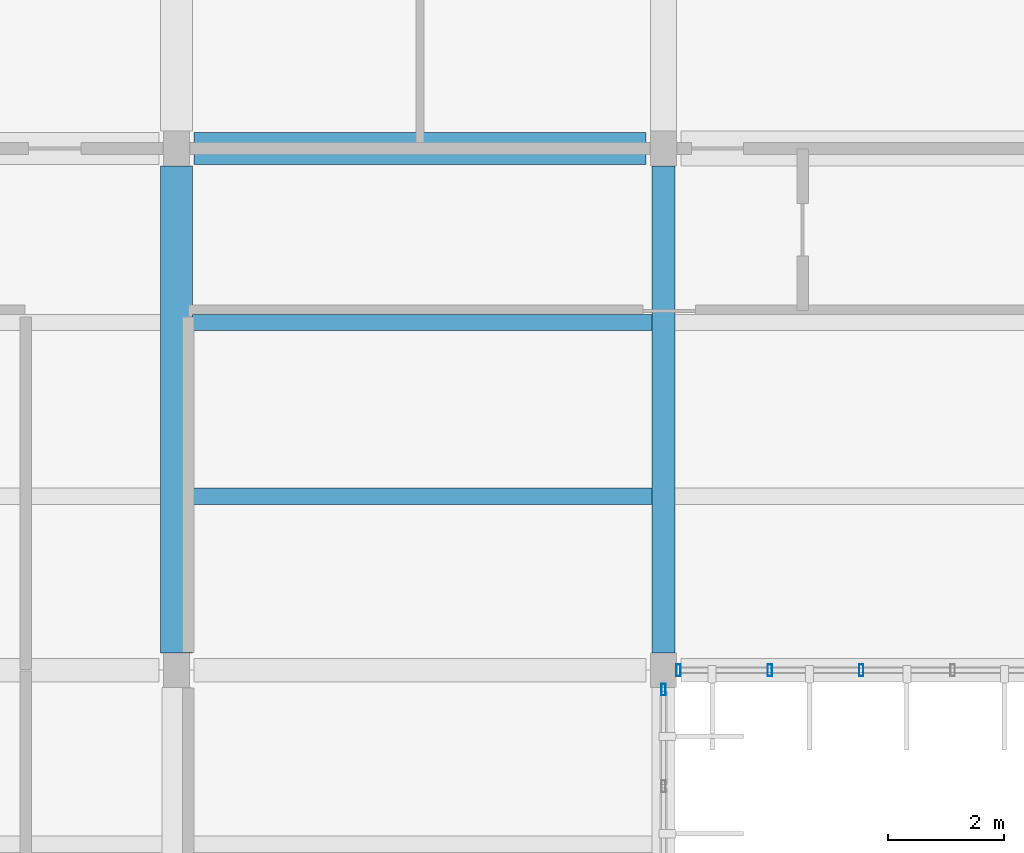
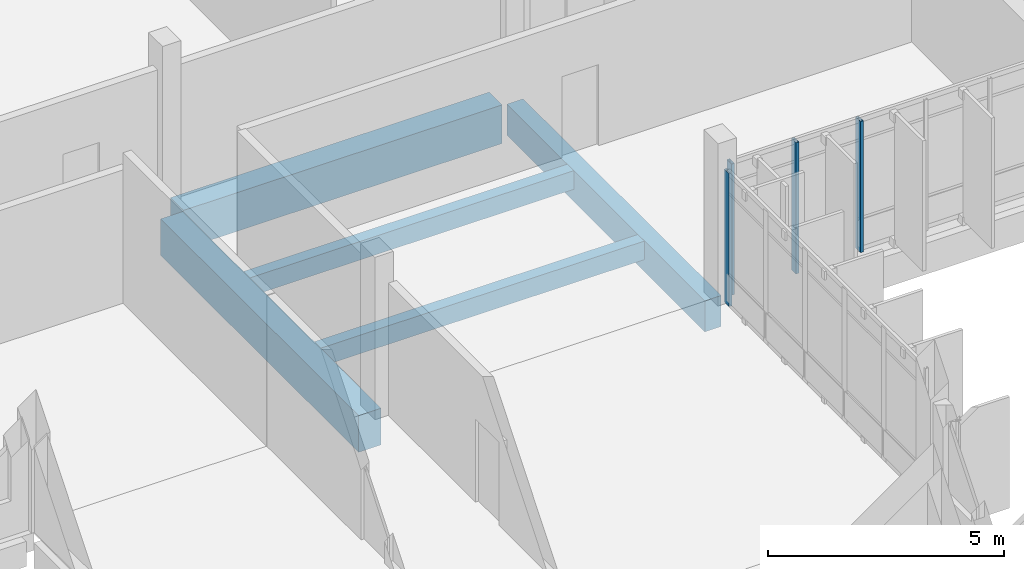
# One storey, part 54 of 107: 5 beams, 4 members, 2 elements without a shape of their own.
"""IFC4 building model written with IfcOpenShell, lengths in metres."""

from ifc_helpers import new_model, si_unit, direction, frame, origin, origin_2d, place, context, subcontext, project, spatial, rectangle, hollow_rectangle, extrude, material, layer, layer_set, material_profile, profile_set, type_object, element, aggregate, save


model = new_model("IFC4")

# Units and contexts
model_context = context("Model", 3, precision=1e-05, world=origin(), true_north=direction((0.0, 1.0)))
body_context = subcontext(model_context, "Body", "Model", "MODEL_VIEW")
ifc_project = project(units=[si_unit("LENGTHUNIT", "METRE"), si_unit("AREAUNIT", "SQUARE_METRE"), si_unit("VOLUMEUNIT", "CUBIC_METRE"), si_unit("PLANEANGLEUNIT", "RADIAN"), si_unit("MASSUNIT", "GRAM", prefix="KILO")], contexts=[model_context])

# Site, building, storey
site_placement = place(None, origin())
site = spatial("IfcSite", under=ifc_project, at=site_placement, CompositionType="ELEMENT")
building_placement = place(site_placement, origin())
building = spatial("IfcBuilding", under=site, at=building_placement, Name="Vireocrest Preparatory School", CompositionType="ELEMENT")
storey_placement = place(building_placement, frame((0.0, 0.0, 13.199951171875)))
storey = spatial("IfcBuildingStorey", under=building, at=storey_placement, Name="L03", CompositionType="ELEMENT", Elevation=13.199951171875)

# Curtain wall, member
ifc_material_1 = material(Name="Thermally broken aluminium EN AW-6063-T6", Category="aluminium")
ifc_layer_1 = layer(ifc_material_1, 0.179931640625)
ifc_layer_set_1 = layer_set([ifc_layer_1], Name="Thermally broken aluminium EN AW-6063-T6")
curtain_wall_type_1 = type_object("IfcCurtainWallType", Name="Side Facade Curtain Wall 9000x4200", PredefinedType="USERDEFINED", material=ifc_layer_set_1)
curtain_wall_1_placement = place(storey_placement, origin())
curtain_wall_1 = element("IfcCurtainWall", 1, at=curtain_wall_1_placement, inside=storey, type_object=curtain_wall_type_1, Name="Curtain Wall CW07 CW_L03_CW07_1092_0861_132", ObjectType="CURTAIN WALL", PredefinedType="USERDEFINED")
ifc_material_profile_1 = material_profile(ifc_material_1, hollow_rectangle(XDim=0.074951171875, YDim=0.199951171875, WallThickness=0.0048828125, at=origin_2d()), Name="ALU 75x200x5")
ifc_profile_set_1 = profile_set([ifc_material_profile_1], Name="Thermally broken aluminium EN AW-6063-T6")
member_type = type_object("IfcMemberType", Name="CW Mullion 75x200x5", PredefinedType="MULLION", material=ifc_profile_set_1)
member_1_placement = place(storey_placement, frame((109.199951171875, 94.465087890625, 0.0), z_axis=(0.0, 0.0, 1.0), x_axis=(1.0, 0.0, 0.0)))
member_1 = element("IfcMember", 2, at=member_1_placement, type_object=member_type, Name="CW Mullion ML3 CW_L03_CW07_1092_0861_132-6", PredefinedType="MULLION", context=body_context, shape_type="SweptSolid", body=[
    extrude(hollow_rectangle(XDim=0.074951171875, YDim=0.199951171875, WallThickness=0.0048828125, at=origin_2d()), origin(), (0.0, 0.0, 1.0), 3.445068359375),
])
aggregate(curtain_wall_1, [member_1])

# Curtain wall, members
ifc_layer_2 = layer(ifc_material_1, 0.179931640625)
ifc_layer_set_2 = layer_set([ifc_layer_2], Name="Thermally broken aluminium EN AW-6063-T6")
curtain_wall_type_2 = type_object("IfcCurtainWallType", Name="Stair Core Daylit Strip 4200x4200", PredefinedType="USERDEFINED", material=ifc_layer_set_2)
curtain_wall_2_placement = place(storey_placement, origin())
curtain_wall_2 = element("IfcCurtainWall", 3, at=curtain_wall_2_placement, inside=storey, type_object=curtain_wall_type_2, Name="Curtain Wall CW18 CW_L03_CW18_1094_0948_132", ObjectType="CURTAIN WALL", PredefinedType="USERDEFINED")
member_2_placement = place(storey_placement, frame((109.4599609375, 94.800048828125, 0.0), z_axis=(0.0, 0.0, 1.0), x_axis=(1.0, 0.0, 0.0)))
member_2 = element("IfcMember", 4, at=member_2_placement, type_object=member_type, Name="CW Mullion ML3 CW_L03_CW18_1094_0948_132-1", PredefinedType="MULLION", context=body_context, shape_type="SweptSolid", body=[
    extrude(hollow_rectangle(XDim=0.074951171875, YDim=0.199951171875, WallThickness=0.0048828125, at=origin_2d()), origin(), (0.0, 0.0, 1.0), 3.39501953125),
])
member_3_placement = place(storey_placement, frame((111.035888671875, 94.800048828125, 0.0), z_axis=(0.0, 0.0, 1.0), x_axis=(1.0, 0.0, 0.0)))
member_3 = element("IfcMember", 5, at=member_3_placement, type_object=member_type, Name="CW Mullion ML3 CW_L03_CW18_1094_0948_132-2", PredefinedType="MULLION", context=body_context, shape_type="SweptSolid", body=[
    extrude(hollow_rectangle(XDim=0.074951171875, YDim=0.199951171875, WallThickness=0.0048828125, at=origin_2d()), origin(), (0.0, 0.0, 1.0), 3.39501953125),
])
member_4_placement = place(storey_placement, frame((112.612060546875, 94.800048828125, 0.0), z_axis=(0.0, 0.0, 1.0), x_axis=(1.0, 0.0, 0.0)))
member_4 = element("IfcMember", 6, at=member_4_placement, type_object=member_type, Name="CW Mullion ML3 CW_L03_CW18_1094_0948_132-3", PredefinedType="MULLION", context=body_context, shape_type="SweptSolid", body=[
    extrude(hollow_rectangle(XDim=0.074951171875, YDim=0.199951171875, WallThickness=0.0048828125, at=origin_2d()), origin(), (0.0, 0.0, 1.0), 3.39501953125),
])
aggregate(curtain_wall_2, [member_2, member_3, member_4])

# Beams
ifc_material_2 = material(Name="Concrete 40 MPa", Category="concrete")
ifc_material_profile_2 = material_profile(ifc_material_2, rectangle(XDim=0.550048828125, YDim=1.0, at=origin_2d()), Name="RC 550x1000")
ifc_profile_set_2 = profile_set([ifc_material_profile_2], Name="Concrete 40 MPa")
beam_type_1 = type_object("IfcBeamType", Name="RC Core Coupling Beam 550x1000", PredefinedType="BEAM", material=ifc_profile_set_2)
beam_1_placement = place(storey_placement, frame((101.10009765625, 103.800048828125, -0.739990234375), z_axis=(1.0, 0.0, 0.0), x_axis=(0.0, 1.0, 0.0)))
element("IfcBeam", 7, at=beam_1_placement, inside=storey, type_object=beam_type_1, Name="Primary Girder B18 L03-1096", PredefinedType="BEAM", context=body_context, shape_type="SweptSolid", body=[
    extrude(rectangle(XDim=0.550048828125, YDim=1.0, at=origin_2d()), origin(), (0.0, 0.0, 1.0), 7.7998046875),
])
ifc_material_profile_3 = material_profile(ifc_material_2, rectangle(XDim=0.39990234375, YDim=0.800048828125, at=origin_2d()), Name="RC 400x800")
ifc_profile_set_3 = profile_set([ifc_material_profile_3], Name="Concrete 40 MPa")
beam_type_2 = type_object("IfcBeamType", Name="RC Library Reading Girder 400x800", PredefinedType="BEAM", material=ifc_profile_set_3)
beam_2_placement = place(storey_placement, frame((109.199951171875, 95.10009765625, -0.639892578125), z_axis=(0.0, 1.0, 0.0), x_axis=(-1.0, 0.0, 0.0)))
element("IfcBeam", 8, at=beam_2_placement, inside=storey, type_object=beam_type_2, Name="Primary Girder B10 L03-1173", PredefinedType="BEAM", context=body_context, shape_type="SweptSolid", body=[
    extrude(rectangle(XDim=0.39990234375, YDim=0.800048828125, at=origin_2d()), origin(), (0.0, 0.0, 1.0), 8.39990234375),
])
ifc_material_profile_4 = material_profile(ifc_material_2, rectangle(XDim=0.280029296875, YDim=0.47998046875, at=origin_2d()), Name="RC 280x480")
ifc_profile_set_4 = profile_set([ifc_material_profile_4], Name="Concrete 40 MPa")
beam_type_3 = type_object("IfcBeamType", Name="RC Secondary Lab Joist 280x480", PredefinedType="JOIST", material=ifc_profile_set_4)
for number, where, z_axis, x_axis, name in (
    (9, (101.074951171875, 97.800048828125, -0.47998046875), (1.0, 0.0, 0.0), (0.0, 1.0, 0.0), "Secondary Joist J02 L03-1273"),
    (10, (101.074951171875, 100.800048828125, -0.47998046875), (1.0, 0.0, 0.0), (0.0, 1.0, 0.0), "Secondary Joist J02 L03-1274"),
):
    element("IfcBeam", number, at=place(storey_placement, frame(where, z_axis=z_axis, x_axis=x_axis)), inside=storey, type_object=beam_type_3, Name=name, PredefinedType="JOIST", context=body_context, shape_type="SweptSolid", body=[
        extrude(rectangle(XDim=0.280029296875, YDim=0.47998046875, at=origin_2d()), origin(), (0.0, 0.0, 1.0), 7.925048828125),
    ])
ifc_material_profile_5 = material_profile(ifc_material_2, rectangle(XDim=0.550048828125, YDim=0.949951171875, at=origin_2d()), Name="RC 550x950")
ifc_profile_set_5 = profile_set([ifc_material_profile_5], Name="Concrete 40 MPa")
beam_type_4 = type_object("IfcBeamType", Name="RC Setback Edge Girder 550x950", PredefinedType="BEAM", material=ifc_profile_set_5)
beam_3_placement = place(storey_placement, frame((100.800048828125, 95.10009765625, -0.71484375), z_axis=(0.0, 1.0, 0.0), x_axis=(-1.0, 0.0, 0.0)))
element("IfcBeam", 11, at=beam_3_placement, inside=storey, type_object=beam_type_4, Name="Primary Girder B17 L03-1162", PredefinedType="BEAM", context=body_context, shape_type="SweptSolid", body=[
    extrude(rectangle(XDim=0.550048828125, YDim=0.949951171875, at=origin_2d()), origin(), (0.0, 0.0, 1.0), 8.39990234375),
])

save(model, "model.ifc")
